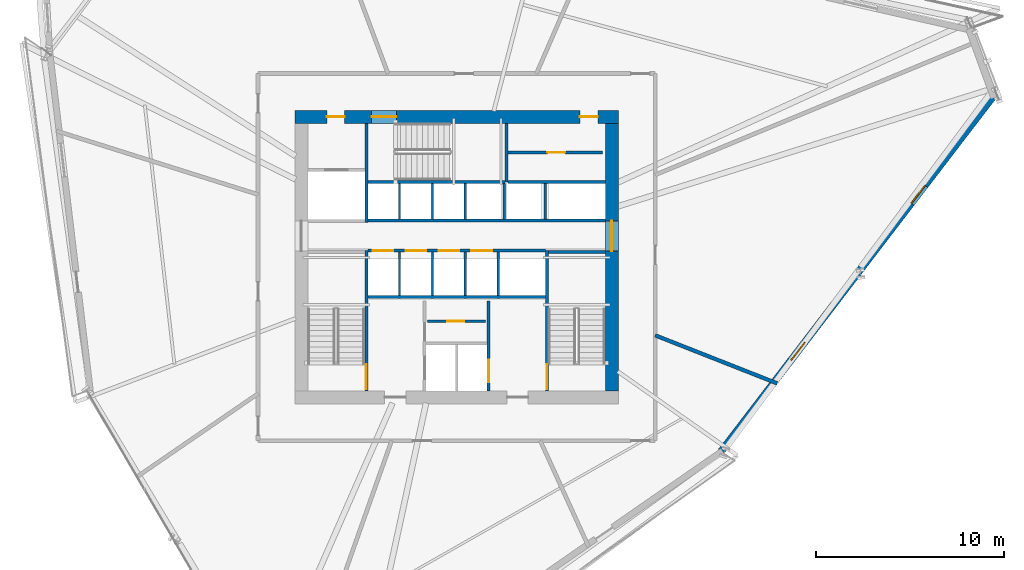
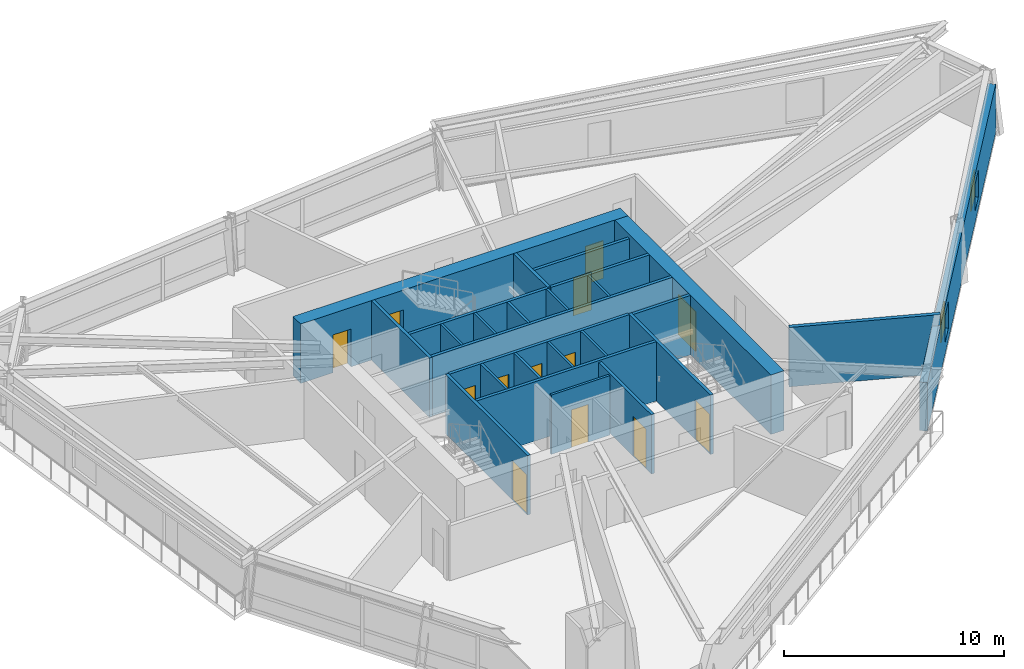
# One storey, part 12 of 17: 26 walls, 13 doors, 2 windows, 15 openings.
"""IFC4 building model written with IfcOpenShell, lengths in metres."""

from ifc_helpers import new_model, si_unit, direction, frame, frame_2d, origin, place, context, subcontext, project, spatial, rectangle, extrude, source, transform, mapped, material, layer, layer_set, type_object, type_shapes, element, fill, save


model = new_model("IFC4")

# Units and contexts
model_context = context("Model", 3, precision=1e-05, world=origin(), true_north=direction((0.0, 1.0)))
body_context = subcontext(model_context, "Body", "Model", "MODEL_VIEW")
ifc_project = project(units=[si_unit("LENGTHUNIT", "METRE"), si_unit("AREAUNIT", "SQUARE_METRE"), si_unit("VOLUMEUNIT", "CUBIC_METRE"), si_unit("PLANEANGLEUNIT", "RADIAN"), si_unit("MASSUNIT", "GRAM", prefix="KILO")], contexts=[model_context])

# Site, building, storey
site_placement = place(None, origin())
site = spatial("IfcSite", under=ifc_project, at=site_placement, CompositionType="ELEMENT")
building_placement = place(site_placement, origin())
building = spatial("IfcBuilding", under=site, at=building_placement, Name="Olszyna Solenne Hotel", CompositionType="ELEMENT")
storey_placement = place(building_placement, frame((0.0, 0.0, 116.35009765625)))
storey = spatial("IfcBuildingStorey", under=building, at=storey_placement, Name="L30", CompositionType="ELEMENT", Elevation=116.35009765625)

# Wall, openings, doors
ifc_material_1 = material(Name="Concrete C60/75", Category="concrete")
ifc_layer_1 = layer(ifc_material_1, 0.699951171875, Name="Concrete C60/75")
ifc_layer_set_1 = layer_set([ifc_layer_1], Name="Concrete C60/75")
wall_type_1 = type_object("IfcWallType", Name="WL-CR700", PredefinedType="SHEAR", material=ifc_layer_set_1)
wall_1_placement = place(storey_placement, frame((29.39990234375, 34.050048828125, 0.0), z_axis=(0.0, 0.0, 1.0), x_axis=(1.0, 0.0, 0.0)))
wall_1 = element("IfcWall", 1, at=wall_1_placement, inside=storey, type_object=wall_type_1, Name="Core shear wall WL-CR700 CRW-L30-N", PredefinedType="SHEAR", context=body_context, shape_type="SweptSolid", body=[
    extrude(rectangle(XDim=17.2001953125, YDim=0.699951171875, at=frame_2d((8.60009765625, 0.0))), origin(), (0.0, 0.0, 1.0), 3.2998046875),
])
opening_1_placement = place(wall_1_placement, frame((1.699951171875, 0.0, 0.0)))
opening_1 = element("IfcOpeningElement", 2, at=opening_1_placement, cuts=wall_1, Name="Opening SVD-L30-01", PredefinedType="OPENING", context=body_context, shape_type="SweptSolid", body=[
    extrude(rectangle(XDim=0.949951171875, YDim=2.10009765625, at=frame_2d((0.47509765625, 1.050048828125))), frame((0.0, 0.35986328125, 0.0), z_axis=(0.0, -1.0, 0.0), x_axis=(1.0, 0.0, 0.0)), (0.0, 0.0, 1.0), 0.719970703125),
])
opening_2_placement = place(wall_1_placement, frame((4.080078125, 0.0, 0.0)))
opening_2 = element("IfcOpeningElement", 3, at=opening_2_placement, cuts=wall_1, Name="Opening STD-L30-03", PredefinedType="OPENING", context=body_context, shape_type="SweptSolid", body=[
    extrude(rectangle(XDim=1.320068359375, YDim=2.199951171875, at=frame_2d((0.66015625, 1.10009765625))), frame((0.0, 0.35986328125, 0.0), z_axis=(0.0, -1.0, 0.0), x_axis=(1.0, 0.0, 0.0)), (0.0, 0.0, 1.0), 0.719970703125),
])
opening_3_placement = place(wall_1_placement, frame((15.14990234375, 0.0, 0.0)))
opening_3 = element("IfcOpeningElement", 4, at=opening_3_placement, cuts=wall_1, Name="Opening SVD-L30-BN", PredefinedType="OPENING", context=body_context, shape_type="SweptSolid", body=[
    extrude(rectangle(XDim=0.949951171875, YDim=2.10009765625, at=frame_2d((0.47509765625, 1.050048828125))), frame((0.0, 0.35986328125, 0.0), z_axis=(0.0, -1.0, 0.0), x_axis=(1.0, 0.0, 0.0)), (0.0, 0.0, 1.0), 0.719970703125),
])
ifc_material_2 = material(Name="Steel S355J2", Category="steel")
door_type_1 = type_object("IfcDoorType", Name="DR-ST1", OperationType="NOTDEFINED", PredefinedType="DOOR", material=ifc_material_2)
shared_shape_1 = source(origin(), body_context, "Body", "SweptSolid", [
    extrude(rectangle(XDim=1.320068359375, YDim=2.199951171875, at=frame_2d((0.66015625, 1.10009765625))), frame((0.0, 0.02490234375, 0.0), z_axis=(0.0, -1.0, 0.0), x_axis=(1.0, 0.0, 0.0)), (0.0, 0.0, 1.0), 0.050048828125),
])
type_shapes(door_type_1, [shared_shape_1])
door_1_placement = place(opening_2_placement, origin())
door_1 = element("IfcDoor", 5, at=door_1_placement, inside=storey, type_object=door_type_1, Name="Pressurised exit stair ST3 fire door STD-L30-03", OperationType="SINGLE_SWING_RIGHT", OverallHeight=2.199951171875, OverallWidth=1.320068359375, PredefinedType="DOOR", context=body_context, shape_type="MappedRepresentation", body=[
    mapped(shared_shape_1, transform((0.0, 0.0, 0.0), x_axis=(1.0, 0.0, 0.0), y_axis=(0.0, 1.0, 0.0), z_axis=(0.0, 0.0, 1.0), scale=1.0)),
])
fill(opening_2, door_1)
door_type_2 = type_object("IfcDoorType", Name="DR-SV1", OperationType="NOTDEFINED", PredefinedType="DOOR", material=ifc_material_2)
shared_shape_2 = source(origin(), body_context, "Body", "SweptSolid", [
    extrude(rectangle(XDim=0.949951171875, YDim=2.10009765625, at=frame_2d((0.47509765625, 1.050048828125))), frame((0.0, 0.02490234375, 0.0), z_axis=(0.0, -1.0, 0.0), x_axis=(1.0, 0.0, 0.0)), (0.0, 0.0, 1.0), 0.050048828125),
])
type_shapes(door_type_2, [shared_shape_2])
door_2_placement = place(opening_1_placement, origin())
door_2 = element("IfcDoor", 6, at=door_2_placement, inside=storey, type_object=door_type_2, Name="Service lift lobby fire door SVD-L30-01", OperationType="SINGLE_SWING_LEFT", OverallHeight=2.10009765625, OverallWidth=0.949951171875, PredefinedType="DOOR", context=body_context, shape_type="MappedRepresentation", body=[
    mapped(shared_shape_2, transform((0.0, 0.0, 0.0), x_axis=(1.0, 0.0, 0.0), y_axis=(0.0, 1.0, 0.0), z_axis=(0.0, 0.0, 1.0), scale=1.0)),
])
fill(opening_1, door_2)
door_3_placement = place(opening_3_placement, origin())
door_3 = element("IfcDoor", 7, at=door_3_placement, inside=storey, type_object=door_type_2, Name="Housekeeping core fire door SVD-L30-BN", OperationType="SINGLE_SWING_LEFT", OverallHeight=2.10009765625, OverallWidth=0.949951171875, PredefinedType="DOOR", context=body_context, shape_type="MappedRepresentation", body=[
    mapped(shared_shape_2, transform((0.0, 0.0, 0.0), x_axis=(1.0, 0.0, 0.0), y_axis=(0.0, 1.0, 0.0), z_axis=(0.0, 0.0, 1.0), scale=1.0)),
])
fill(opening_3, door_3)

# Wall, opening, door
wall_2_placement = place(storey_placement, frame((46.25, 33.699951171875, 0.0), z_axis=(0.0, 0.0, 1.0), x_axis=(0.0, -1.0, 0.0)))
wall_2 = element("IfcWall", 8, at=wall_2_placement, inside=storey, type_object=wall_type_1, Name="Core shear wall WL-CR700 CRW-L30-E", PredefinedType="SHEAR", context=body_context, shape_type="SweptSolid", body=[
    extrude(rectangle(XDim=14.199951171875, YDim=0.699951171875, at=frame_2d((7.10009765625, 0.0))), origin(), (0.0, 0.0, 1.0), 3.2998046875),
])
opening_4_placement = place(wall_2_placement, frame((5.179931640625, 0.0, 0.0)))
opening_4 = element("IfcOpeningElement", 9, at=opening_4_placement, cuts=wall_2, Name="Opening LHD-L30-E", PredefinedType="OPENING", context=body_context, shape_type="SweptSolid", body=[
    extrude(rectangle(XDim=1.60009765625, YDim=2.199951171875, at=frame_2d((0.800048828125, 1.10009765625))), frame((0.0, 0.35986328125, 0.0), z_axis=(0.0, -1.0, 0.0), x_axis=(1.0, 0.0, 0.0)), (0.0, 0.0, 1.0), 0.719970703125),
])
ifc_material_3 = material(Name="Timber hardwood", Category="wood")
door_type_3 = type_object("IfcDoorType", Name="DR-CR1", OperationType="DOUBLE_DOOR_SINGLE_SWING", PredefinedType="DOOR", material=ifc_material_3)
shared_shape_3 = source(origin(), body_context, "Body", "SweptSolid", [
    extrude(rectangle(XDim=1.60009765625, YDim=2.199951171875, at=frame_2d((0.800048828125, 1.10009765625))), frame((0.0, 0.02490234375, 0.0), z_axis=(0.0, -1.0, 0.0), x_axis=(1.0, 0.0, 0.0)), (0.0, 0.0, 1.0), 0.050048828125),
])
type_shapes(door_type_3, [shared_shape_3])
door_4_placement = place(opening_4_placement, origin())
door_4 = element("IfcDoor", 10, at=door_4_placement, inside=storey, type_object=door_type_3, Name="Passenger lift lobby East fire door LHD-L30-E", OperationType="DOUBLE_DOOR_SINGLE_SWING", OverallHeight=2.199951171875, OverallWidth=1.60009765625, PredefinedType="DOOR", context=body_context, shape_type="MappedRepresentation", body=[
    mapped(shared_shape_3, transform((0.0, 0.0, 0.0), x_axis=(1.0, 0.0, 0.0), y_axis=(0.0, 1.0, 0.0), z_axis=(0.0, 0.0, 1.0), scale=1.0)),
])
fill(opening_4, door_4)

# Wall, openings, windows
ifc_material_4 = material(Name="Terracotta cladding on precast concrete C45/55", Category="masonry")
ifc_layer_2 = layer(ifc_material_4, 0.3798828125, Name="Terracotta cladding on precast concrete C45/55")
ifc_layer_set_2 = layer_set([ifc_layer_2], Name="Terracotta cladding on precast concrete C45/55")
wall_type_2 = type_object("IfcWallType", Name="WL-EX380", PredefinedType="SOLIDWALL", material=ifc_layer_set_2)
wall_3_placement = place(storey_placement, frame((66.59130859375, 35.2451171875, 0.0), z_axis=(0.0, 0.0, 1.0), x_axis=(-0.608252150968, -0.7937438635, 0.0)))
wall_3 = element("IfcWall", 11, at=wall_3_placement, inside=storey, type_object=wall_type_2, Name="Exterior terracotta-precast frame wall WL-EX380 EW-L30-10", PredefinedType="SOLIDWALL", context=body_context, shape_type="SweptSolid", body=[
    extrude(rectangle(XDim=23.887451171875, YDim=0.3798828125, at=frame_2d((11.94384765625, 0.0))), origin(), (0.0, 0.0, 1.0), 2.69189453125),
])
opening_5_placement = place(wall_3_placement, frame((6.087890625, 0.0, 0.64990234375)))
opening_5 = element("IfcOpeningElement", 12, at=opening_5_placement, cuts=wall_3, Name="Opening WN-L30-173", PredefinedType="OPENING", context=body_context, shape_type="SweptSolid", body=[
    extrude(rectangle(XDim=1.199951171875, YDim=1.5, at=frame_2d((0.60009765625, 0.75))), frame((0.0, 0.199951171875, 0.0), z_axis=(0.0, -1.0, 0.0), x_axis=(1.0, 0.0, 0.0)), (0.0, 0.0, 1.0), 0.39990234375),
])
opening_6_placement = place(wall_3_placement, frame((16.59912109375, 0.0, 0.64990234375)))
opening_6 = element("IfcOpeningElement", 13, at=opening_6_placement, cuts=wall_3, Name="Opening WN-L30-174", PredefinedType="OPENING", context=body_context, shape_type="SweptSolid", body=[
    extrude(rectangle(XDim=1.199951171875, YDim=1.5, at=frame_2d((0.60009765625, 0.75))), frame((0.0, 0.199951171875, 0.0), z_axis=(0.0, -1.0, 0.0), x_axis=(1.0, 0.0, 0.0)), (0.0, 0.0, 1.0), 0.39990234375),
])
ifc_material_5 = material(Name="Low-E triple glazing", Category="glass")
window_type = type_object("IfcWindowType", Name="WN-B1", PartitioningType="SINGLE_PANEL", PredefinedType="WINDOW", material=ifc_material_5)
shared_shape_4 = source(origin(), body_context, "Body", "SweptSolid", [
    extrude(rectangle(XDim=1.199951171875, YDim=1.5, at=frame_2d((0.60009765625, 0.75))), frame((0.0, 0.030029296875, 0.0), z_axis=(0.0, -1.0, 0.0), x_axis=(1.0, 0.0, 0.0)), (0.0, 0.0, 1.0), 0.06005859375),
])
type_shapes(window_type, [shared_shape_4])
window_1_placement = place(opening_5_placement, origin())
window_1 = element("IfcWindow", 14, at=window_1_placement, inside=storey, type_object=window_type, Name="Exterior facade window WN-B1 WN-L30-173", OverallHeight=1.5, OverallWidth=1.199951171875, PartitioningType="SINGLE_PANEL", PredefinedType="WINDOW", context=body_context, shape_type="MappedRepresentation", body=[
    mapped(shared_shape_4, transform((0.0, 0.0, 0.0), x_axis=(1.0, 0.0, 0.0), y_axis=(0.0, 1.0, 0.0), z_axis=(0.0, 0.0, 1.0), scale=1.0)),
])
fill(opening_5, window_1)
window_2_placement = place(opening_6_placement, origin())
window_2 = element("IfcWindow", 15, at=window_2_placement, inside=storey, type_object=window_type, Name="Exterior facade window WN-B1 WN-L30-174", OverallHeight=1.5, OverallWidth=1.199951171875, PartitioningType="SINGLE_PANEL", PredefinedType="WINDOW", context=body_context, shape_type="MappedRepresentation", body=[
    mapped(shared_shape_4, transform((0.0, 0.0, 0.0), x_axis=(1.0, 0.0, 0.0), y_axis=(0.0, 1.0, 0.0), z_axis=(0.0, 0.0, 1.0), scale=1.0)),
])
fill(opening_6, window_2)

# Wall, opening, door
ifc_material_6 = material(Name="Acoustic gypsum partition", Category="gypsum")
ifc_layer_3 = layer(ifc_material_6, 0.125, Name="Acoustic gypsum partition")
ifc_layer_set_3 = layer_set([ifc_layer_3], Name="Acoustic gypsum partition")
wall_type_3 = type_object("IfcWallType", Name="WL-PT125", PredefinedType="PARTITIONING", material=ifc_layer_set_3)
wall_4_placement = place(storey_placement, frame((36.4599609375, 23.18603515625, 0.0), z_axis=(0.0, 0.0, 1.0), x_axis=(1.0, 0.0, 0.0)))
wall_4 = element("IfcWall", 16, at=wall_4_placement, inside=storey, type_object=wall_type_3, Name="Core shaft compartment wall CW-L30-SC2", PredefinedType="PARTITIONING", context=body_context, shape_type="SweptSolid", body=[
    extrude(rectangle(XDim=3.080078125, YDim=0.125, at=frame_2d((1.5400390625, 0.0))), origin(), (0.0, 0.0, 1.0), 3.2998046875),
])
opening_7_placement = place(wall_4_placement, frame((1.050048828125, 0.0, 0.0)))
opening_7 = element("IfcOpeningElement", 17, at=opening_7_placement, cuts=wall_4, Name="Opening SVD-L30-SC2", PredefinedType="OPENING", context=body_context, shape_type="SweptSolid", body=[
    extrude(rectangle(XDim=0.89990234375, YDim=2.10009765625, at=frame_2d((0.449951171875, 1.050048828125))), frame((0.0, 0.072509765625, 0.0), z_axis=(0.0, -1.0, 0.0), x_axis=(1.0, 0.0, 0.0)), (0.0, 0.0, 1.0), 0.14501953125),
])
door_type_4 = type_object("IfcDoorType", Name="DR-WC1", OperationType="NOTDEFINED", PredefinedType="DOOR", material=ifc_material_3)
shared_shape_5 = source(origin(), body_context, "Body", "SweptSolid", [
    extrude(rectangle(XDim=0.89990234375, YDim=2.10009765625, at=frame_2d((0.449951171875, 1.050048828125))), frame((0.0, 0.02490234375, 0.0), z_axis=(0.0, -1.0, 0.0), x_axis=(1.0, 0.0, 0.0)), (0.0, 0.0, 1.0), 0.050048828125),
])
type_shapes(door_type_4, [shared_shape_5])
door_5_placement = place(opening_7_placement, origin())
door_5 = element("IfcDoor", 18, at=door_5_placement, inside=storey, type_object=door_type_4, Name="Butler pantry door SVD-L30-SC2", OperationType="SINGLE_SWING_RIGHT", OverallHeight=2.10009765625, OverallWidth=0.89990234375, PredefinedType="DOOR", context=body_context, shape_type="MappedRepresentation", body=[
    mapped(shared_shape_5, transform((0.0, 0.0, 0.0), x_axis=(1.0, 0.0, 0.0), y_axis=(0.0, 1.0, 0.0), z_axis=(0.0, 0.0, 1.0), scale=1.0)),
])
fill(opening_7, door_5)

# Walls
for number, where, z_axis, x_axis, name in (
    (19, (34.965087890625, 24.56005859375, 0.0), (0.0, 0.0, 1.0), (0.0, 1.0, 0.0), "Core shaft compartment wall CW-L30-DIVS349"),
    (20, (36.715087890625, 24.56005859375, 0.0), (0.0, 0.0, 1.0), (0.0, 1.0, 0.0), "Core shaft compartment wall CW-L30-DIVS367"),
    (21, (38.465087890625, 24.56005859375, 0.0), (0.0, 0.0, 1.0), (0.0, 1.0, 0.0), "Core shaft compartment wall CW-L30-DIVS384"),
    (22, (40.215087890625, 24.56005859375, 0.0), (0.0, 0.0, 1.0), (0.0, 1.0, 0.0), "Core shaft compartment wall CW-L30-DIVS402"),
):
    element("IfcWall", number, at=place(storey_placement, frame(where, z_axis=z_axis, x_axis=x_axis)), inside=storey, type_object=wall_type_3, Name=name, PredefinedType="PARTITIONING", context=body_context, shape_type="SweptSolid", body=[
        extrude(rectangle(XDim=2.31005859375, YDim=0.125, at=frame_2d((1.155029296875, 0.0))), origin(), (0.0, 0.0, 1.0), 3.2998046875),
    ])
for number, where, z_axis, x_axis, name in (
    (23, (34.965087890625, 28.60009765625, 0.0), (0.0, 0.0, 1.0), (0.0, 1.0, 0.0), "Core shaft compartment wall CW-L30-DIVN349"),
    (24, (36.715087890625, 28.60009765625, 0.0), (0.0, 0.0, 1.0), (0.0, 1.0, 0.0), "Core shaft compartment wall CW-L30-DIVN367"),
    (25, (38.465087890625, 28.60009765625, 0.0), (0.0, 0.0, 1.0), (0.0, 1.0, 0.0), "Core shaft compartment wall CW-L30-DIVN384"),
    (26, (40.52490234375, 28.60009765625, 0.0), (0.0, 0.0, 1.0), (0.0, 1.0, 0.0), "Core shaft compartment wall CW-L30-DIVEX405"),
    (27, (42.699951171875, 28.60009765625, 0.0), (0.0, 0.0, 1.0), (0.0, 1.0, 0.0), "Core shaft compartment wall CW-L30-DIVEX427"),
):
    element("IfcWall", number, at=place(storey_placement, frame(where, z_axis=z_axis, x_axis=x_axis)), inside=storey, type_object=wall_type_3, Name=name, PredefinedType="PARTITIONING", context=body_context, shape_type="SweptSolid", body=[
        extrude(rectangle(XDim=1.919921875, YDim=0.125, at=frame_2d((0.9599609375, 0.0))), origin(), (0.0, 0.0, 1.0), 3.2998046875),
    ])

# Wall, opening, door
ifc_layer_4 = layer(ifc_material_6, 0.159912109375, Name="Acoustic gypsum partition")
ifc_layer_set_4 = layer_set([ifc_layer_4], Name="Acoustic gypsum partition")
wall_type_4 = type_object("IfcWallType", Name="WL-PT160", PredefinedType="PARTITIONING", material=ifc_layer_set_4)
wall_5_placement = place(storey_placement, frame((33.199951171875, 19.5, 0.0), z_axis=(0.0, 0.0, 1.0), x_axis=(0.0, 1.0, 0.0)))
wall_5 = element("IfcWall", 28, at=wall_5_placement, inside=storey, type_object=wall_type_4, Name="Core shaft compartment wall CW-L30-ST1E", PredefinedType="PARTITIONING", context=body_context, shape_type="SweptSolid", body=[
    extrude(rectangle(XDim=7.4599609375, YDim=0.159912109375, at=frame_2d((3.72998046875, 0.0))), origin(), (0.0, 0.0, 1.0), 3.2998046875),
])
opening_8_placement = place(wall_5_placement, frame((0.080078125, 0.0, 0.0)))
opening_8 = element("IfcOpeningElement", 29, at=opening_8_placement, cuts=wall_5, Name="Opening STD-L30-01", PredefinedType="OPENING", context=body_context, shape_type="SweptSolid", body=[
    extrude(rectangle(XDim=1.320068359375, YDim=2.199951171875, at=frame_2d((0.66015625, 1.10009765625))), frame((0.0, 0.08984375, 0.0), z_axis=(0.0, -1.0, 0.0), x_axis=(1.0, 0.0, 0.0)), (0.0, 0.0, 1.0), 0.179931640625),
])
door_6_placement = place(opening_8_placement, origin())
door_6 = element("IfcDoor", 30, at=door_6_placement, inside=storey, type_object=door_type_1, Name="Pressurised exit stair ST1 fire door STD-L30-01", OperationType="SINGLE_SWING_LEFT", OverallHeight=2.199951171875, OverallWidth=1.320068359375, PredefinedType="DOOR", context=body_context, shape_type="MappedRepresentation", body=[
    mapped(shared_shape_1, transform((0.0, 0.0, 0.0), x_axis=(1.0, 0.0, 0.0), y_axis=(0.0, 1.0, 0.0), z_axis=(0.0, 0.0, 1.0), scale=1.0)),
])
fill(opening_8, door_6)

wall_6_placement = place(storey_placement, frame((42.800048828125, 26.9599609375, 0.0), z_axis=(0.0, 0.0, 1.0), x_axis=(0.0, -1.0, 0.0)))
wall_6 = element("IfcWall", 31, at=wall_6_placement, inside=storey, type_object=wall_type_4, Name="Core shaft compartment wall CW-L30-ST2W", PredefinedType="PARTITIONING", context=body_context, shape_type="SweptSolid", body=[
    extrude(rectangle(XDim=7.4599609375, YDim=0.159912109375, at=frame_2d((3.72998046875, 0.0))), origin(), (0.0, 0.0, 1.0), 3.2998046875),
])
opening_9_placement = place(wall_6_placement, frame((6.06005859375, 0.0, 0.0)))
opening_9 = element("IfcOpeningElement", 32, at=opening_9_placement, cuts=wall_6, Name="Opening STD-L30-02", PredefinedType="OPENING", context=body_context, shape_type="SweptSolid", body=[
    extrude(rectangle(XDim=1.320068359375, YDim=2.199951171875, at=frame_2d((0.66015625, 1.10009765625))), frame((0.0, 0.08984375, 0.0), z_axis=(0.0, -1.0, 0.0), x_axis=(1.0, 0.0, 0.0)), (0.0, 0.0, 1.0), 0.179931640625),
])
door_7_placement = place(opening_9_placement, origin())
door_7 = element("IfcDoor", 33, at=door_7_placement, inside=storey, type_object=door_type_1, Name="Pressurised exit stair ST2 fire door STD-L30-02", OperationType="SINGLE_SWING_RIGHT", OverallHeight=2.199951171875, OverallWidth=1.320068359375, PredefinedType="DOOR", context=body_context, shape_type="MappedRepresentation", body=[
    mapped(shared_shape_1, transform((0.0, 0.0, 0.0), x_axis=(1.0, 0.0, 0.0), y_axis=(0.0, 1.0, 0.0), z_axis=(0.0, 0.0, 1.0), scale=1.0)),
])
fill(opening_9, door_7)

# Walls
wall_7_placement = place(storey_placement, frame((42.8798828125, 26.8798828125, 0.0), z_axis=(0.0, 0.0, 1.0), x_axis=(1.0, 0.0, 0.0)))
element("IfcWall", 34, at=wall_7_placement, inside=storey, type_object=wall_type_4, Name="Core shaft compartment wall CW-L30-ST2N", PredefinedType="PARTITIONING", context=body_context, shape_type="SweptSolid", body=[
    extrude(rectangle(XDim=3.02001953125, YDim=0.159912109375, at=frame_2d((1.510009765625, 0.0))), origin(), (0.0, 0.0, 1.0), 3.2998046875),
])
wall_8_placement = place(storey_placement, frame((33.280029296875, 30.60009765625, 0.0), z_axis=(0.0, 0.0, 1.0), x_axis=(1.0, 0.0, 0.0)))
element("IfcWall", 35, at=wall_8_placement, inside=storey, type_object=wall_type_4, Name="Core shaft compartment wall CW-L30-ST3S", PredefinedType="PARTITIONING", context=body_context, shape_type="SweptSolid", body=[
    extrude(rectangle(XDim=7.300048828125, YDim=0.159912109375, at=frame_2d((3.64990234375, 0.0))), origin(), (0.0, 0.0, 1.0), 3.2998046875),
])
wall_9_placement = place(storey_placement, frame((40.659912109375, 30.60009765625, 0.0), z_axis=(0.0, 0.0, 1.0), x_axis=(0.0, 1.0, 0.0)))
element("IfcWall", 36, at=wall_9_placement, inside=storey, type_object=wall_type_4, Name="Core shaft compartment wall CW-L30-ST3E", PredefinedType="PARTITIONING", context=body_context, shape_type="SweptSolid", body=[
    extrude(rectangle(XDim=3.099853515625, YDim=0.159912109375, at=frame_2d((1.5498046875, 0.0))), origin(), (0.0, 0.0, 1.0), 3.2998046875),
])

# Wall, opening, door
wall_10_placement = place(storey_placement, frame((39.699951171875, 24.280029296875, 0.0), z_axis=(0.0, 0.0, 1.0), x_axis=(0.0, -1.0, 0.0)))
wall_10 = element("IfcWall", 37, at=wall_10_placement, inside=storey, type_object=wall_type_4, Name="Core shaft compartment wall CW-L30-FF2E", PredefinedType="PARTITIONING", context=body_context, shape_type="SweptSolid", body=[
    extrude(rectangle(XDim=4.780029296875, YDim=0.159912109375, at=frame_2d((2.39013671875, 0.0))), origin(), (0.0, 0.0, 1.0), 3.2998046875),
])
opening_10_placement = place(wall_10_placement, frame((3.1201171875, 0.0, 0.0)))
opening_10 = element("IfcOpeningElement", 38, at=opening_10_placement, cuts=wall_10, Name="Opening LD-L30-FF2", PredefinedType="OPENING", context=body_context, shape_type="SweptSolid", body=[
    extrude(rectangle(XDim=1.199951171875, YDim=2.199951171875, at=frame_2d((0.60009765625, 1.10009765625))), frame((0.0, 0.08984375, 0.0), z_axis=(0.0, -1.0, 0.0), x_axis=(1.0, 0.0, 0.0)), (0.0, 0.0, 1.0), 0.179931640625),
])
door_type_5 = type_object("IfcDoorType", Name="LD-FF1", OperationType="DOUBLE_DOOR_SLIDING", PredefinedType="DOOR", material=ifc_material_2)
shared_shape_6 = source(origin(), body_context, "Body", "SweptSolid", [
    extrude(rectangle(XDim=1.199951171875, YDim=2.199951171875, at=frame_2d((0.60009765625, 1.10009765625))), frame((0.0, 0.02490234375, 0.0), z_axis=(0.0, -1.0, 0.0), x_axis=(1.0, 0.0, 0.0)), (0.0, 0.0, 1.0), 0.050048828125),
])
type_shapes(door_type_5, [shared_shape_6])
door_8_placement = place(opening_10_placement, origin())
door_8 = element("IfcDoor", 39, at=door_8_placement, inside=storey, type_object=door_type_5, Name="Firefighters lift FF2 sliding landing door LD-L30-FF2", OperationType="DOUBLE_DOOR_SLIDING", OverallHeight=2.199951171875, OverallWidth=1.199951171875, PredefinedType="DOOR", context=body_context, shape_type="MappedRepresentation", body=[
    mapped(shared_shape_6, transform((0.0, 0.0, 0.0), x_axis=(1.0, 0.0, 0.0), y_axis=(0.0, 1.0, 0.0), z_axis=(0.0, 0.0, 1.0), scale=1.0)),
])
fill(opening_10, door_8)

# Walls
wall_11_placement = place(storey_placement, frame((33.280029296875, 24.489990234375, 0.0), z_axis=(0.0, 0.0, 1.0), x_axis=(1.0, 0.0, 0.0)))
element("IfcWall", 40, at=wall_11_placement, inside=storey, type_object=wall_type_4, Name="Core shaft compartment wall CW-L30-FFBN", PredefinedType="PARTITIONING", context=body_context, shape_type="SweptSolid", body=[
    extrude(rectangle(XDim=9.43994140625, YDim=0.159912109375, at=frame_2d((4.719970703125, 0.0))), origin(), (0.0, 0.0, 1.0), 3.2998046875),
])
wall_12_placement = place(storey_placement, frame((33.199951171875, 28.43994140625, 0.0), z_axis=(0.0, 0.0, 1.0), x_axis=(0.0, 1.0, 0.0)))
element("IfcWall", 41, at=wall_12_placement, inside=storey, type_object=wall_type_4, Name="Core shaft compartment wall CW-L30-SV1E", PredefinedType="PARTITIONING", context=body_context, shape_type="SweptSolid", body=[
    extrude(rectangle(XDim=5.260009765625, YDim=0.159912109375, at=frame_2d((2.6298828125, 0.0))), origin(), (0.0, 0.0, 1.0), 3.2998046875),
])

# Wall, openings, doors
wall_13_placement = place(storey_placement, frame((33.280029296875, 26.949951171875, 0.0), z_axis=(0.0, 0.0, 1.0), x_axis=(1.0, 0.0, 0.0)))
wall_13 = element("IfcWall", 42, at=wall_13_placement, inside=storey, type_object=wall_type_4, Name="Core shaft compartment wall CW-L30-LRS", PredefinedType="PARTITIONING", context=body_context, shape_type="SweptSolid", body=[
    extrude(rectangle(XDim=9.43994140625, YDim=0.159912109375, at=frame_2d((4.719970703125, 0.0))), origin(), (0.0, 0.0, 1.0), 3.2998046875),
])
opening_11_placement = place(wall_13_placement, frame((0.260009765625, 0.0, 0.0)))
opening_11 = element("IfcOpeningElement", 43, at=opening_11_placement, cuts=wall_13, Name="Opening LD-L30-PL1", PredefinedType="OPENING", context=body_context, shape_type="SweptSolid", body=[
    extrude(rectangle(XDim=1.10009765625, YDim=2.199951171875, at=frame_2d((0.550048828125, 1.10009765625))), frame((0.0, 0.08984375, 0.0), z_axis=(0.0, -1.0, 0.0), x_axis=(1.0, 0.0, 0.0)), (0.0, 0.0, 1.0), 0.179931640625),
])
opening_12_placement = place(wall_13_placement, frame((2.010009765625, 0.0, 0.0)))
opening_12 = element("IfcOpeningElement", 44, at=opening_12_placement, cuts=wall_13, Name="Opening LD-L30-PL2", PredefinedType="OPENING", context=body_context, shape_type="SweptSolid", body=[
    extrude(rectangle(XDim=1.10009765625, YDim=2.199951171875, at=frame_2d((0.550048828125, 1.10009765625))), frame((0.0, 0.08984375, 0.0), z_axis=(0.0, -1.0, 0.0), x_axis=(1.0, 0.0, 0.0)), (0.0, 0.0, 1.0), 0.179931640625),
])
opening_13_placement = place(wall_13_placement, frame((3.760009765625, 0.0, 0.0)))
opening_13 = element("IfcOpeningElement", 45, at=opening_13_placement, cuts=wall_13, Name="Opening LD-L30-PL3", PredefinedType="OPENING", context=body_context, shape_type="SweptSolid", body=[
    extrude(rectangle(XDim=1.10009765625, YDim=2.199951171875, at=frame_2d((0.550048828125, 1.10009765625))), frame((0.0, 0.08984375, 0.0), z_axis=(0.0, -1.0, 0.0), x_axis=(1.0, 0.0, 0.0)), (0.0, 0.0, 1.0), 0.179931640625),
])
opening_14_placement = place(wall_13_placement, frame((5.510009765625, 0.0, 0.0)))
opening_14 = element("IfcOpeningElement", 46, at=opening_14_placement, cuts=wall_13, Name="Opening LD-L30-PL4", PredefinedType="OPENING", context=body_context, shape_type="SweptSolid", body=[
    extrude(rectangle(XDim=1.10009765625, YDim=2.199951171875, at=frame_2d((0.550048828125, 1.10009765625))), frame((0.0, 0.08984375, 0.0), z_axis=(0.0, -1.0, 0.0), x_axis=(1.0, 0.0, 0.0)), (0.0, 0.0, 1.0), 0.179931640625),
])
door_type_6 = type_object("IfcDoorType", Name="LD-P1", OperationType="DOUBLE_DOOR_SLIDING", PredefinedType="DOOR", material=ifc_material_2)
shared_shape_7 = source(origin(), body_context, "Body", "SweptSolid", [
    extrude(rectangle(XDim=1.10009765625, YDim=2.199951171875, at=frame_2d((0.550048828125, 1.10009765625))), frame((0.0, 0.02490234375, 0.0), z_axis=(0.0, -1.0, 0.0), x_axis=(1.0, 0.0, 0.0)), (0.0, 0.0, 1.0), 0.050048828125),
])
type_shapes(door_type_6, [shared_shape_7])
door_9_placement = place(opening_11_placement, origin())
door_9 = element("IfcDoor", 47, at=door_9_placement, inside=storey, type_object=door_type_6, Name="Passenger lift PL1 sliding landing door LD-L30-PL1", OperationType="DOUBLE_DOOR_SLIDING", OverallHeight=2.199951171875, OverallWidth=1.10009765625, PredefinedType="DOOR", context=body_context, shape_type="MappedRepresentation", body=[
    mapped(shared_shape_7, transform((0.0, 0.0, 0.0), x_axis=(1.0, 0.0, 0.0), y_axis=(0.0, 1.0, 0.0), z_axis=(0.0, 0.0, 1.0), scale=1.0)),
])
fill(opening_11, door_9)
door_10_placement = place(opening_12_placement, origin())
door_10 = element("IfcDoor", 48, at=door_10_placement, inside=storey, type_object=door_type_6, Name="Passenger lift PL2 sliding landing door LD-L30-PL2", OperationType="DOUBLE_DOOR_SLIDING", OverallHeight=2.199951171875, OverallWidth=1.10009765625, PredefinedType="DOOR", context=body_context, shape_type="MappedRepresentation", body=[
    mapped(shared_shape_7, transform((0.0, 0.0, 0.0), x_axis=(1.0, 0.0, 0.0), y_axis=(0.0, 1.0, 0.0), z_axis=(0.0, 0.0, 1.0), scale=1.0)),
])
fill(opening_12, door_10)
door_11_placement = place(opening_13_placement, origin())
door_11 = element("IfcDoor", 49, at=door_11_placement, inside=storey, type_object=door_type_6, Name="Passenger lift PL3 sliding landing door LD-L30-PL3", OperationType="DOUBLE_DOOR_SLIDING", OverallHeight=2.199951171875, OverallWidth=1.10009765625, PredefinedType="DOOR", context=body_context, shape_type="MappedRepresentation", body=[
    mapped(shared_shape_7, transform((0.0, 0.0, 0.0), x_axis=(1.0, 0.0, 0.0), y_axis=(0.0, 1.0, 0.0), z_axis=(0.0, 0.0, 1.0), scale=1.0)),
])
fill(opening_13, door_11)
door_12_placement = place(opening_14_placement, origin())
door_12 = element("IfcDoor", 50, at=door_12_placement, inside=storey, type_object=door_type_6, Name="Passenger lift PL4 sliding landing door LD-L30-PL4", OperationType="DOUBLE_DOOR_SLIDING", OverallHeight=2.199951171875, OverallWidth=1.10009765625, PredefinedType="DOOR", context=body_context, shape_type="MappedRepresentation", body=[
    mapped(shared_shape_7, transform((0.0, 0.0, 0.0), x_axis=(1.0, 0.0, 0.0), y_axis=(0.0, 1.0, 0.0), z_axis=(0.0, 0.0, 1.0), scale=1.0)),
])
fill(opening_14, door_12)

# Walls
wall_14_placement = place(storey_placement, frame((33.280029296875, 28.5400390625, 0.0), z_axis=(0.0, 0.0, 1.0), x_axis=(1.0, 0.0, 0.0)))
element("IfcWall", 51, at=wall_14_placement, inside=storey, type_object=wall_type_4, Name="Core shaft compartment wall CW-L30-LRN", PredefinedType="PARTITIONING", context=body_context, shape_type="SweptSolid", body=[
    extrude(rectangle(XDim=12.619873046875, YDim=0.159912109375, at=frame_2d((6.31005859375, 0.0))), origin(), (0.0, 0.0, 1.0), 3.2998046875),
])
wall_15_placement = place(storey_placement, frame((40.719970703125, 30.60009765625, 0.0), z_axis=(0.0, 0.0, 1.0), x_axis=(1.0, 0.0, 0.0)))
element("IfcWall", 52, at=wall_15_placement, inside=storey, type_object=wall_type_4, Name="Core shaft compartment wall CW-L30-LRNTOP", PredefinedType="PARTITIONING", context=body_context, shape_type="SweptSolid", body=[
    extrude(rectangle(XDim=5.179931640625, YDim=0.159912109375, at=frame_2d((2.58984375, 0.0))), origin(), (0.0, 0.0, 1.0), 3.2998046875),
])

# Wall, opening, door
wall_16_placement = place(storey_placement, frame((40.719970703125, 32.157958984375, 0.0), z_axis=(0.0, 0.0, 1.0), x_axis=(1.0, 0.0, 0.0)))
wall_16 = element("IfcWall", 53, at=wall_16_placement, inside=storey, type_object=wall_type_4, Name="Core shaft compartment wall CW-L30-BOH2", PredefinedType="PARTITIONING", context=body_context, shape_type="SweptSolid", body=[
    extrude(rectangle(XDim=5.030029296875, YDim=0.159912109375, at=frame_2d((2.51513671875, 0.0))), origin(), (0.0, 0.0, 1.0), 3.2998046875),
])
opening_15_placement = place(wall_16_placement, frame((2.10009765625, 0.0, 0.0)))
opening_15 = element("IfcOpeningElement", 54, at=opening_15_placement, cuts=wall_16, Name="Opening SVD-L30-BI2", PredefinedType="OPENING", context=body_context, shape_type="SweptSolid", body=[
    extrude(rectangle(XDim=0.949951171875, YDim=2.10009765625, at=frame_2d((0.47509765625, 1.050048828125))), frame((0.0, 0.08984375, 0.0), z_axis=(0.0, -1.0, 0.0), x_axis=(1.0, 0.0, 0.0)), (0.0, 0.0, 1.0), 0.179931640625),
])
door_13_placement = place(opening_15_placement, origin())
door_13 = element("IfcDoor", 55, at=door_13_placement, inside=storey, type_object=door_type_2, Name="BOH inter-room fire door SVD-L30-BI2", OperationType="SINGLE_SWING_RIGHT", OverallHeight=2.10009765625, OverallWidth=0.949951171875, PredefinedType="DOOR", context=body_context, shape_type="MappedRepresentation", body=[
    mapped(shared_shape_2, transform((0.0, 0.0, 0.0), x_axis=(1.0, 0.0, 0.0), y_axis=(0.0, 1.0, 0.0), z_axis=(0.0, 0.0, 1.0), scale=1.0)),
])
fill(opening_15, door_13)

# Wall
ifc_layer_5 = layer(ifc_material_6, 0.199951171875, Name="Acoustic gypsum partition")
ifc_layer_set_5 = layer_set([ifc_layer_5], Name="Acoustic gypsum partition")
wall_type_5 = type_object("IfcWallType", Name="WL-PT200", PredefinedType="PARTITIONING", material=ifc_layer_set_5)
wall_17_placement = place(storey_placement, frame((48.550048828125, 22.444091796875, 0.0), z_axis=(0.0, 0.0, 1.0), x_axis=(0.930429770638, -0.366470246964, 0.0)))
element("IfcWall", 56, at=wall_17_placement, inside=storey, type_object=wall_type_5, Name="Interior acoustic partition WL-PT200 PW-L30-1736", PredefinedType="PARTITIONING", context=body_context, shape_type="SweptSolid", body=[
    extrude(rectangle(XDim=6.96240234375, YDim=0.199951171875, at=frame_2d((3.481201171875, 0.0))), origin(), (0.0, 0.0, 1.0), 3.2998046875),
])

save(model, "model.ifc")
